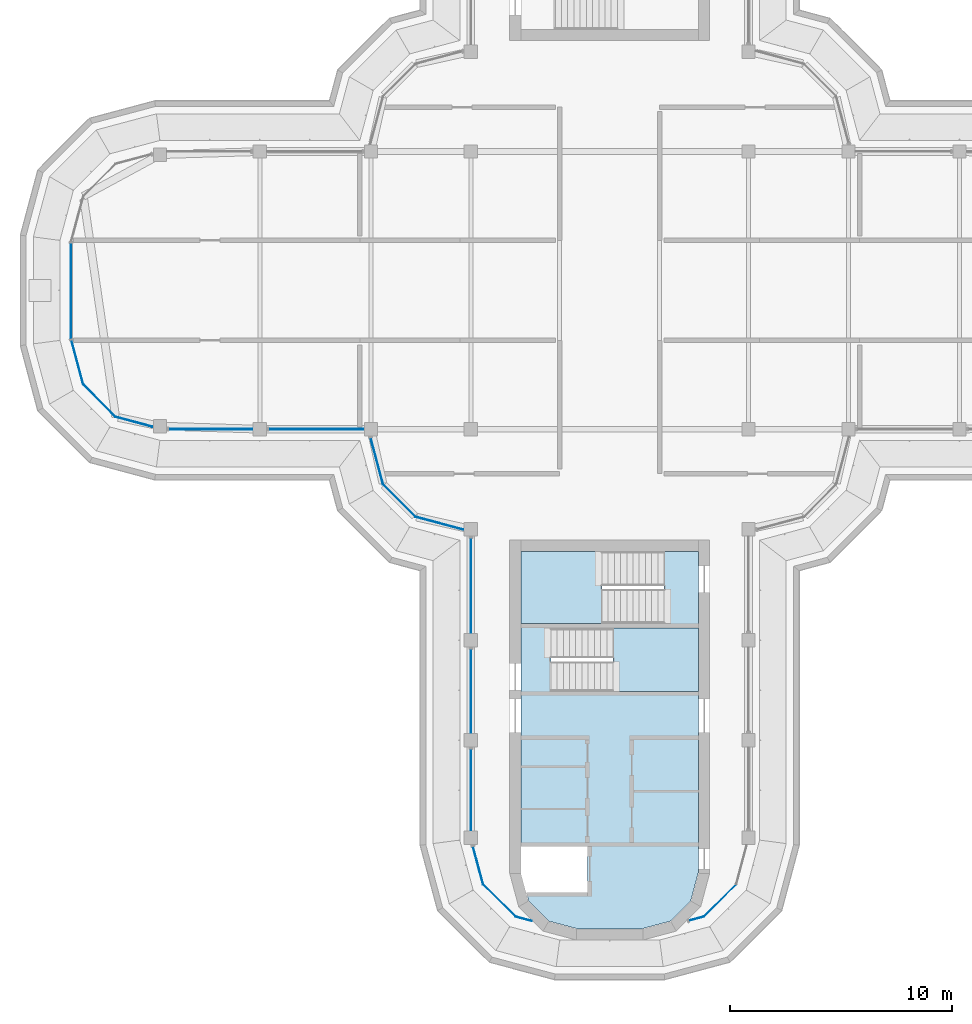
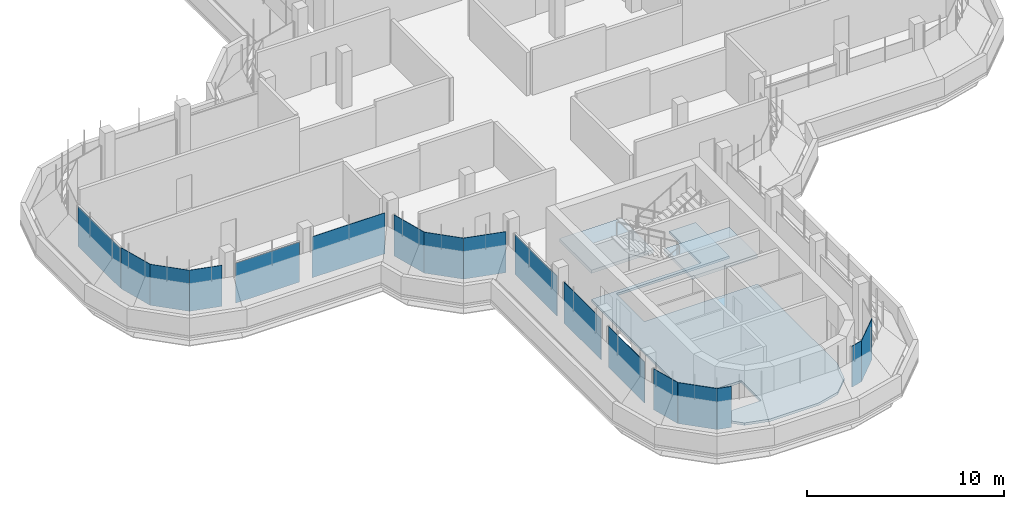
# One storey, part 9 of 19: 17 plates, 3 slabs, 16 elements without a shape of their own.
"""IFC4 building model written with IfcOpenShell, lengths in metres."""

from ifc_helpers import new_model, si_unit, direction, frame, origin, place, context, subcontext, project, spatial, polyline, outline, extrude, source, transform, mapped, material, layer, layer_set, type_object, element, aggregate, save


model = new_model("IFC4")

# Units and contexts
model_context = context("Model", 3, precision=1e-05, world=origin(), true_north=direction((0.0, 1.0)))
body_context = subcontext(model_context, "Body", "Model", "MODEL_VIEW")
ifc_project = project(units=[si_unit("LENGTHUNIT", "METRE"), si_unit("AREAUNIT", "SQUARE_METRE"), si_unit("VOLUMEUNIT", "CUBIC_METRE"), si_unit("PLANEANGLEUNIT", "RADIAN"), si_unit("MASSUNIT", "GRAM", prefix="KILO")], contexts=[model_context])

# Site, building, storey
site_placement = place(None, origin())
site = spatial("IfcSite", under=ifc_project, at=site_placement, CompositionType="ELEMENT")
building_placement = place(site_placement, origin())
building = spatial("IfcBuilding", under=site, at=building_placement, Name="Zarbagh Exchange Tower", CompositionType="ELEMENT")
storey_placement = place(building_placement, frame((0.0, 0.0, 295.199951171875)))
storey = spatial("IfcBuildingStorey", under=building, at=storey_placement, Name="L72", CompositionType="ELEMENT", Elevation=295.199951171875)

# Slab
ifc_material_1 = material(Name="Concrete C40/50", Category="concrete")
ifc_layer_1 = layer(ifc_material_1, 0.14990234375)
ifc_layer_set_1 = layer_set([ifc_layer_1], Name="Core floor slab 150 C40/50")
slab_type_1 = type_object("IfcSlabType", Name="Core floor slab 150 C40/50", PredefinedType="FLOOR", material=ifc_layer_set_1)
slab_1_placement = place(storey_placement, frame((0.0, 0.0, -0.14990234375)))
element("IfcSlab", 1, at=slab_1_placement, inside=storey, type_object=slab_type_1, Name="S17 core S", PredefinedType="FLOOR", context=body_context, shape_type="SweptSolid", body=[
    extrude(outline(polyline([(-2.7412109375, -28.39990234375), (-3.64990234375, -27.4912109375), (-3.857666015625, -26.715087890625), (-3.754638671875, -27.10009765625), (-1.0, -27.10009765625), (-1.0, -25.050048828125), (-4.0, -25.050048828125), (-4.0, -15.0), (2.449951171875, -15.0), (2.449951171875, -11.75), (4.0, -11.75), (4.0, -15.199951171875), (-2.64990234375, -15.199951171875), (-2.64990234375, -18.050048828125), (4.0, -18.050048828125), (4.0, -26.18408203125), (3.64990234375, -27.4912109375), (2.7412109375, -28.39990234375), (1.43408203125, -28.75), (-1.43408203125, -28.75), (-2.7412109375, -28.39990234375)])), origin(), (0.0, 0.0, 1.0), 0.14990234375),
])

# Stair, slab
stair_type = type_object("IfcStairType", Name="Exit stair two-flight half-turn", PredefinedType="HALF_TURN_STAIR", material=ifc_material_1)
stair_1_placement = place(storey_placement, origin())
stair_1 = element("IfcStair", 2, at=stair_1_placement, inside=storey, type_object=stair_type, Name="exit stair ST3", PredefinedType="HALF_TURN_STAIR")
ifc_layer_2 = layer(ifc_material_1, 0.199951171875)
ifc_layer_set_2 = layer_set([ifc_layer_2], Name="Stair landing 200 mm")
slab_type_2 = type_object("IfcSlabType", Name="Stair landing 200 mm", PredefinedType="LANDING", material=ifc_layer_set_2)
slab_2_placement = place(storey_placement, frame((0.0, 0.0, 1.60009765625)))
slab_2 = element("IfcSlab", 3, at=slab_2_placement, type_object=slab_type_2, Name="ST3 landing 1", PredefinedType="LANDING", context=body_context, shape_type="SweptSolid", body=[
    extrude(outline(polyline([(0.14990234375, -18.050048828125), (4.0, -18.050048828125), (4.0, -15.199951171875), (0.14990234375, -15.199951171875), (0.14990234375, -18.050048828125)])), origin(), (0.0, 0.0, 1.0), 0.199951171875),
])
aggregate(stair_1, [slab_2])

stair_2_placement = place(storey_placement, origin())
stair_2 = element("IfcStair", 4, at=stair_2_placement, inside=storey, type_object=stair_type, Name="exit stair ST4", PredefinedType="HALF_TURN_STAIR")
slab_3_placement = place(storey_placement, frame((0.0, 0.0, 1.60009765625)))
slab_3 = element("IfcSlab", 5, at=slab_3_placement, type_object=slab_type_2, Name="ST4 landing 1", PredefinedType="LANDING", context=body_context, shape_type="SweptSolid", body=[
    extrude(outline(polyline([(-0.35009765625, -11.75), (-4.0, -11.75), (-4.0, -15.0), (-0.35009765625, -15.0), (-0.35009765625, -11.75)])), origin(), (0.0, 0.0, 1.0), 0.199951171875),
])
aggregate(stair_2, [slab_3])

# Curtain wall, plate
ifc_material_2 = material(Name="Anodised aluminium frame and glazing", Category="aluminium")
curtain_wall_type = type_object("IfcCurtainWallType", Name="CWF Crown tier glazing", PredefinedType="NOTDEFINED", material=ifc_material_2)
curtain_wall_1_placement = place(storey_placement, origin())
curtain_wall_1 = element("IfcCurtainWall", 6, at=curtain_wall_1_placement, inside=storey, type_object=curtain_wall_type, Name="CWF01 curtain wall", PredefinedType="NOTDEFINED")
ifc_material_3 = material(Name="Low-e double glazed unit, 6+12+6 mm")
ifc_layer_3 = layer(ifc_material_3, 0.028076171875)
ifc_layer_set_3 = layer_set([ifc_layer_3], Name="PAF Glazing panel, Low-e double glazed unit, 6+12+6 mm")
plate_type = type_object("IfcPlateType", Name="PAF Glazing panel, Low-e double glazed unit, 6+12+6 mm", PredefinedType="CURTAIN_PANEL", material=ifc_layer_set_3)
shared_shape_1 = source(origin(), body_context, "Body", "SweptSolid", [
    extrude(outline(polyline([(0.0, -0.013916015625), (0.697021484375, -0.013916015625), (0.697021484375, 0.013916015625), (0.0, 0.013916015625), (0.0, -0.013916015625)])), origin(), (0.0, 0.0, 1.0), 2.550048828125),
])
placement = place(storey_placement, origin())
plate_1 = element("IfcPlate", 7, at=placement, type_object=plate_type, Name="CWF01 glazing panel 1.1", PredefinedType="CURTAIN_PANEL", context=body_context, shape_type="MappedRepresentation", body=[
    mapped(shared_shape_1, transform((3.56787109375, -28.379150390625, 0.0), x_axis=(0.965924289636, 0.258824779902, 0.0), y_axis=(-0.258824779902, 0.965924289636, 0.0), z_axis=(0.0, 0.0, 1.0))),
])
aggregate(curtain_wall_1, [plate_1])

curtain_wall_2_placement = place(storey_placement, origin())
curtain_wall_2 = element("IfcCurtainWall", 8, at=curtain_wall_2_placement, inside=storey, type_object=curtain_wall_type, Name="CWF02 curtain wall", PredefinedType="NOTDEFINED")
shared_shape_2 = source(origin(), body_context, "Body", "SweptSolid", [
    extrude(outline(polyline([(0.0, -0.013916015625), (2.061279296875, -0.013916015625), (2.061279296875, 0.013916015625), (0.0, 0.013916015625), (0.0, -0.013916015625)])), origin(), (0.0, 0.0, 1.0), 2.550048828125),
])
plate_2 = element("IfcPlate", 9, at=placement, type_object=plate_type, Name="CWF02 glazing panel 1.1", PredefinedType="CURTAIN_PANEL", context=body_context, shape_type="MappedRepresentation", body=[
    mapped(shared_shape_2, transform((4.2412109375, -28.19873046875, 0.0), x_axis=(0.707106781187, 0.707106781187, 0.0), y_axis=(-0.707106781187, 0.707106781187, 0.0), z_axis=(0.0, 0.0, 1.0))),
])
aggregate(curtain_wall_2, [plate_2])

curtain_wall_3_placement = place(storey_placement, origin())
curtain_wall_3 = element("IfcCurtainWall", 10, at=curtain_wall_3_placement, inside=storey, type_object=curtain_wall_type, Name="CWF37 curtain wall", PredefinedType="NOTDEFINED")
plate_3 = element("IfcPlate", 11, at=placement, type_object=plate_type, Name="CWF37 glazing panel 1.1", PredefinedType="CURTAIN_PANEL", context=body_context, shape_type="MappedRepresentation", body=[
    mapped(shared_shape_2, transform((-23.69873046875, -4.2412109375, 0.0), x_axis=(0.707106781187, -0.707106781187, 0.0), y_axis=(0.707106781187, 0.707106781187, 0.0), z_axis=(0.0, 0.0, 1.0))),
])
aggregate(curtain_wall_3, [plate_3])

curtain_wall_4_placement = place(storey_placement, origin())
curtain_wall_4 = element("IfcCurtainWall", 12, at=curtain_wall_4_placement, inside=storey, type_object=curtain_wall_type, Name="CWF41 curtain wall", PredefinedType="NOTDEFINED")
plate_4 = element("IfcPlate", 13, at=placement, type_object=plate_type, Name="CWF41 glazing panel 1.1", PredefinedType="CURTAIN_PANEL", context=body_context, shape_type="MappedRepresentation", body=[
    mapped(shared_shape_2, transform((-10.19873046875, -8.7412109375, 0.0), x_axis=(0.707106781187, -0.707106781187, 0.0), y_axis=(0.707106781187, 0.707106781187, 0.0), z_axis=(0.0, 0.0, 1.0))),
])
aggregate(curtain_wall_4, [plate_4])

curtain_wall_5_placement = place(storey_placement, origin())
curtain_wall_5 = element("IfcCurtainWall", 14, at=curtain_wall_5_placement, inside=storey, type_object=curtain_wall_type, Name="CWF45 curtain wall", PredefinedType="NOTDEFINED")
plate_5 = element("IfcPlate", 15, at=placement, type_object=plate_type, Name="CWF45 glazing panel 1.1", PredefinedType="CURTAIN_PANEL", context=body_context, shape_type="MappedRepresentation", body=[
    mapped(shared_shape_2, transform((-5.69873046875, -26.7412109375, 0.0), x_axis=(0.707106781187, -0.707106781187, 0.0), y_axis=(0.707106781187, 0.707106781187, 0.0), z_axis=(0.0, 0.0, 1.0))),
])
aggregate(curtain_wall_5, [plate_5])

curtain_wall_6_placement = place(storey_placement, origin())
curtain_wall_6 = element("IfcCurtainWall", 16, at=curtain_wall_6_placement, inside=storey, type_object=curtain_wall_type, Name="CWF43 curtain wall", PredefinedType="NOTDEFINED")
shared_shape_3 = source(origin(), body_context, "Body", "SweptSolid", [
    extrude(outline(polyline([(0.0, -0.013916015625), (3.760009765625, -0.013916015625), (3.760009765625, 0.013916015625), (0.0, 0.013916015625), (0.0, -0.013916015625)])), origin(), (0.0, 0.0, 1.0), 2.550048828125),
])
plate_6 = element("IfcPlate", 17, at=placement, type_object=plate_type, Name="CWF43 glazing panel 2.1", PredefinedType="CURTAIN_PANEL", context=body_context, shape_type="MappedRepresentation", body=[
    mapped(shared_shape_3, transform((-6.25, -16.150146484375, 0.0), x_axis=(0.0, -1.0, 0.0), y_axis=(1.0, 0.0, 0.0), z_axis=(0.0, 0.0, 1.0))),
])

curtain_wall_7_placement = place(storey_placement, origin())
curtain_wall_7 = element("IfcCurtainWall", 18, at=curtain_wall_7_placement, inside=storey, type_object=curtain_wall_type, Name="CWF39 curtain wall", PredefinedType="NOTDEFINED")
shared_shape_4 = source(origin(), body_context, "Body", "SweptSolid", [
    extrude(outline(polyline([(0.0, -0.013916015625), (4.260009765625, -0.013916015625), (4.260009765625, 0.013916015625), (0.0, 0.013916015625), (0.0, -0.013916015625)])), origin(), (0.0, 0.0, 1.0), 2.550048828125),
])
plate_7 = element("IfcPlate", 19, at=placement, type_object=plate_type, Name="CWF39 glazing panel 2.1", PredefinedType="CURTAIN_PANEL", context=body_context, shape_type="MappedRepresentation", body=[
    mapped(shared_shape_4, transform((-15.349853515625, -6.25, 0.0), x_axis=(1.0, 0.0, 0.0), y_axis=(0.0, 1.0, 0.0), z_axis=(0.0, 0.0, 1.0))),
])

curtain_wall_8_placement = place(storey_placement, origin())
curtain_wall_8 = element("IfcCurtainWall", 20, at=curtain_wall_8_placement, inside=storey, type_object=curtain_wall_type, Name="CWF40 curtain wall", PredefinedType="NOTDEFINED")
shared_shape_5 = source(origin(), body_context, "Body", "SweptSolid", [
    extrude(outline(polyline([(0.0, -0.013916015625), (2.1669921875, -0.013916015625), (2.1669921875, 0.013916015625), (0.0, 0.013916015625), (0.0, -0.013916015625)])), origin(), (0.0, 0.0, 1.0), 2.550048828125),
])
plate_8 = element("IfcPlate", 21, at=placement, type_object=plate_type, Name="CWF40 glazing panel 1.1", PredefinedType="CURTAIN_PANEL", context=body_context, shape_type="MappedRepresentation", body=[
    mapped(shared_shape_5, transform((-10.759765625, -6.64794921875, 0.0), x_axis=(0.258824779902, -0.965924289636, 0.0), y_axis=(0.965924289636, 0.258824779902, 0.0), z_axis=(0.0, 0.0, 1.0))),
])
aggregate(curtain_wall_8, [plate_8])

curtain_wall_9_placement = place(storey_placement, origin())
curtain_wall_9 = element("IfcCurtainWall", 22, at=curtain_wall_9_placement, inside=storey, type_object=curtain_wall_type, Name="CWF42 curtain wall", PredefinedType="NOTDEFINED")
shared_shape_6 = source(origin(), body_context, "Body", "SweptSolid", [
    extrude(outline(polyline([(0.0, -0.013916015625), (2.22705078125, -0.013916015625), (2.22705078125, 0.013916015625), (0.0, 0.013916015625), (0.0, -0.013916015625)])), origin(), (0.0, 0.0, 1.0), 2.550048828125),
])
plate_9 = element("IfcPlate", 23, at=placement, type_object=plate_type, Name="CWF42 glazing panel 1.1", PredefinedType="CURTAIN_PANEL", context=body_context, shape_type="MappedRepresentation", body=[
    mapped(shared_shape_6, transform((-8.7412109375, -10.19873046875, 0.0), x_axis=(0.965924289636, -0.258824779902, 0.0), y_axis=(0.258824779902, 0.965924289636, 0.0), z_axis=(0.0, 0.0, 1.0))),
])
aggregate(curtain_wall_9, [plate_9])

# Plate
shared_shape_7 = source(origin(), body_context, "Body", "SweptSolid", [
    extrude(outline(polyline([(0.0, -0.013916015625), (4.260009765625, -0.013916015625), (4.260009765625, 0.013916015625), (0.0, 0.013916015625), (0.0, -0.013916015625)])), origin(), (0.0, 0.0, 1.0), 2.489990234375),
])
plate_10 = element("IfcPlate", 24, at=placement, type_object=plate_type, Name="CWF43 glazing panel 1.1", PredefinedType="CURTAIN_PANEL", context=body_context, shape_type="MappedRepresentation", body=[
    mapped(shared_shape_7, transform((-6.25, -11.150146484375, 0.0), x_axis=(0.0, -1.0, 0.0), y_axis=(1.0, 0.0, 0.0), z_axis=(0.0, 0.0, 1.0))),
])

# Curtain wall, plate
curtain_wall_10_placement = place(storey_placement, origin())
curtain_wall_10 = element("IfcCurtainWall", 25, at=curtain_wall_10_placement, inside=storey, type_object=curtain_wall_type, Name="CWF35 curtain wall", PredefinedType="NOTDEFINED")
shared_shape_8 = source(origin(), body_context, "Body", "SweptSolid", [
    extrude(outline(polyline([(0.0, -0.013916015625), (4.308349609375, -0.013916015625), (4.308349609375, 0.013916015625), (0.0, 0.013916015625), (0.0, -0.013916015625)])), origin(), (0.0, 0.0, 1.0), 2.489990234375),
])
plate_11 = element("IfcPlate", 26, at=placement, type_object=plate_type, Name="CWF35 glazing panel 1.1", PredefinedType="CURTAIN_PANEL", context=body_context, shape_type="MappedRepresentation", body=[
    mapped(shared_shape_8, transform((-24.25, 2.124267578125, 0.0), x_axis=(0.0, -1.0, 0.0), y_axis=(1.0, 0.0, 0.0), z_axis=(0.0, 0.0, 1.0))),
])
aggregate(curtain_wall_10, [plate_11])

curtain_wall_11_placement = place(storey_placement, origin())
curtain_wall_11 = element("IfcCurtainWall", 27, at=curtain_wall_11_placement, inside=storey, type_object=curtain_wall_type, Name="CWF36 curtain wall", PredefinedType="NOTDEFINED")
shared_shape_9 = source(origin(), body_context, "Body", "SweptSolid", [
    extrude(outline(polyline([(0.0, -0.013916015625), (2.069580078125, -0.013916015625), (2.069580078125, 0.013916015625), (0.0, 0.013916015625), (0.0, -0.013916015625)])), origin(), (0.0, 0.0, 1.0), 2.550048828125),
])
plate_12 = element("IfcPlate", 28, at=placement, type_object=plate_type, Name="CWF36 glazing panel 1.1", PredefinedType="CURTAIN_PANEL", context=body_context, shape_type="MappedRepresentation", body=[
    mapped(shared_shape_9, transform((-24.234375, -2.2421875, 0.0), x_axis=(0.258824779902, -0.965924289636, 0.0), y_axis=(0.965924289636, 0.258824779902, 0.0), z_axis=(0.0, 0.0, 1.0))),
])
aggregate(curtain_wall_11, [plate_12])

curtain_wall_12_placement = place(storey_placement, origin())
curtain_wall_12 = element("IfcCurtainWall", 29, at=curtain_wall_12_placement, inside=storey, type_object=curtain_wall_type, Name="CWF38 curtain wall", PredefinedType="NOTDEFINED")
shared_shape_10 = source(origin(), body_context, "Body", "SweptSolid", [
    extrude(outline(polyline([(0.0, -0.013916015625), (1.70947265625, -0.013916015625), (1.70947265625, 0.013916015625), (0.0, 0.013916015625), (0.0, -0.013916015625)])), origin(), (0.0, 0.0, 1.0), 2.550048828125),
])
plate_13 = element("IfcPlate", 30, at=placement, type_object=plate_type, Name="CWF38 glazing panel 1.1", PredefinedType="CURTAIN_PANEL", context=body_context, shape_type="MappedRepresentation", body=[
    mapped(shared_shape_10, transform((-22.2412109375, -5.69873046875, 0.0), x_axis=(0.965924289636, -0.258824779902, 0.0), y_axis=(0.258824779902, 0.965924289636, 0.0), z_axis=(0.0, 0.0, 1.0))),
])
aggregate(curtain_wall_12, [plate_13])

# Plate
shared_shape_11 = source(origin(), body_context, "Body", "SweptSolid", [
    extrude(outline(polyline([(0.0, -0.013916015625), (3.760009765625, -0.013916015625), (3.760009765625, 0.013916015625), (0.0, 0.013916015625), (0.0, -0.013916015625)])), origin(), (0.0, 0.0, 1.0), 2.489990234375),
])
plate_14 = element("IfcPlate", 31, at=placement, type_object=plate_type, Name="CWF39 glazing panel 1.1", PredefinedType="CURTAIN_PANEL", context=body_context, shape_type="MappedRepresentation", body=[
    mapped(shared_shape_11, transform((-19.849853515625, -6.25, 0.0), x_axis=(1.0, 0.0, 0.0), y_axis=(0.0, 1.0, 0.0), z_axis=(0.0, 0.0, 1.0))),
])

aggregate(curtain_wall_7, [plate_14, plate_7])

shared_shape_12 = source(origin(), body_context, "Body", "SweptSolid", [
    extrude(outline(polyline([(0.0, -0.013916015625), (3.659912109375, -0.013916015625), (3.659912109375, 0.013916015625), (0.0, 0.013916015625), (0.0, -0.013916015625)])), origin(), (0.0, 0.0, 1.0), 2.550048828125),
])
plate_15 = element("IfcPlate", 32, at=placement, type_object=plate_type, Name="CWF43 glazing panel 3.1", PredefinedType="CURTAIN_PANEL", context=body_context, shape_type="MappedRepresentation", body=[
    mapped(shared_shape_12, transform((-6.25, -20.650146484375, 0.0), x_axis=(0.0, -1.0, 0.0), y_axis=(1.0, 0.0, 0.0), z_axis=(0.0, 0.0, 1.0))),
])

aggregate(curtain_wall_6, [plate_10, plate_6, plate_15])

# Curtain wall, plate
curtain_wall_13_placement = place(storey_placement, origin())
curtain_wall_13 = element("IfcCurtainWall", 33, at=curtain_wall_13_placement, inside=storey, type_object=curtain_wall_type, Name="CWF44 curtain wall", PredefinedType="NOTDEFINED")
shared_shape_13 = source(origin(), body_context, "Body", "SweptSolid", [
    extrude(outline(polyline([(0.0, -0.013916015625), (1.7529296875, -0.013916015625), (1.7529296875, 0.013916015625), (0.0, 0.013916015625), (0.0, -0.013916015625)])), origin(), (0.0, 0.0, 1.0), 2.550048828125),
])
plate_16 = element("IfcPlate", 34, at=placement, type_object=plate_type, Name="CWF44 glazing panel 1.1", PredefinedType="CURTAIN_PANEL", context=body_context, shape_type="MappedRepresentation", body=[
    mapped(shared_shape_13, transform((-6.152587890625, -25.0478515625, 0.0), x_axis=(0.258824779902, -0.965924289636, 0.0), y_axis=(0.965924289636, 0.258824779902, 0.0), z_axis=(0.0, 0.0, 1.0))),
])
aggregate(curtain_wall_13, [plate_16])

curtain_wall_14_placement = place(storey_placement, origin())
curtain_wall_14 = element("IfcCurtainWall", 35, at=curtain_wall_14_placement, inside=storey, type_object=curtain_wall_type, Name="CWF46 curtain wall", PredefinedType="NOTDEFINED")
shared_shape_14 = source(origin(), body_context, "Body", "SweptSolid", [
    extrude(outline(polyline([(0.0, -0.013916015625), (0.757080078125, -0.013916015625), (0.757080078125, 0.013916015625), (0.0, 0.013916015625), (0.0, -0.013916015625)])), origin(), (0.0, 0.0, 1.0), 2.550048828125),
])
plate_17 = element("IfcPlate", 36, at=placement, type_object=plate_type, Name="CWF46 glazing panel 1.1", PredefinedType="CURTAIN_PANEL", context=body_context, shape_type="MappedRepresentation", body=[
    mapped(shared_shape_14, transform((-4.2412109375, -28.19873046875, 0.0), x_axis=(0.965924289636, -0.258824779902, 0.0), y_axis=(0.258824779902, 0.965924289636, 0.0), z_axis=(0.0, 0.0, 1.0))),
])
aggregate(curtain_wall_14, [plate_17])

save(model, "model.ifc")
